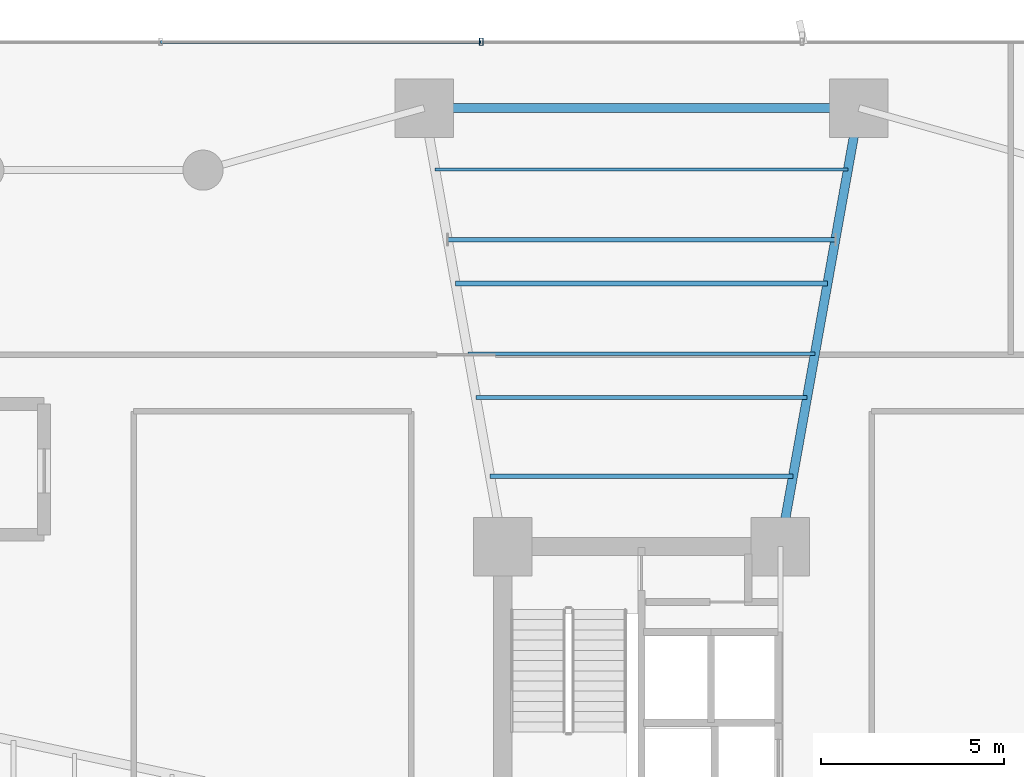
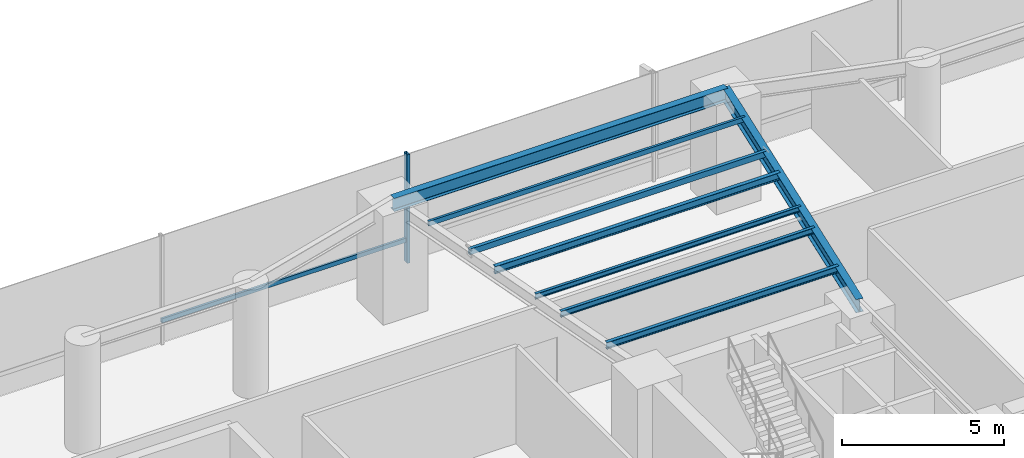
# One storey, part 10 of 23: 8 beams, 2 members, 1 element without a shape of its own.
"""IFC4 building model written with IfcOpenShell, lengths in metres."""

import ifcopenshell
import ifcopenshell.guid

model = None  # the IFC model being written
_history = None  # IfcOwnerHistory: only IFC2X3 demands one
_inside = {}  # id of a spatial element -> (the spatial element, [elements in it])
_under = {}  # id of a project, library or spatial element -> (it, [spatial elements below it])
_declared = {}  # id of a project -> (the project, [libraries it declares])
_typed = {}  # id of a type object -> (the type object, [elements of that type])
_made_of = {}  # id of a material, layer set ... -> (it, [elements and type objects made of it])


def new_model(schema):
    """Start an empty IFC model of exactly this schema.

    Asked for "IFC4X3", IfcOpenShell would pick the latest addendum, in which some entities
    have other attributes; the version numbers below select the first issue.
    IFC2X3 requires an IfcOwnerHistory on every rooted entity: one is made here for all.
    """
    global model, _history
    if schema == "IFC4X3":
        model = ifcopenshell.file(schema_version=(4, 3, 0, 0))
    else:
        model = ifcopenshell.file(schema=schema)
    _inside.clear()
    _under.clear()
    _declared.clear()
    _typed.clear()
    _made_of.clear()
    _history = None
    if model.schema == "IFC2X3":
        org = make("IfcOrganization", Name="unknown")
        user = make(
            "IfcPersonAndOrganization",
            ThePerson=make("IfcPerson", FamilyName="unknown"),
            TheOrganization=org,
        )
        app = make(
            "IfcApplication",
            ApplicationDeveloper=org,
            Version="unknown",
            ApplicationFullName="unknown",
            ApplicationIdentifier="unknown",
        )
        _history = make(
            "IfcOwnerHistory",
            OwningUser=user,
            OwningApplication=app,
            ChangeAction="ADDED",
            CreationDate=0,
        )
    return model


def make(cls, **values):
    """One entity of the class cls with the attributes given. An attribute that is None is left unset."""
    return model.create_entity(
        cls, **{name: value for name, value in values.items() if value is not None}
    )


def rooted(cls, **values):
    """An entity with a GlobalId (a new one), such as an element, a storey or a relation."""
    return make(cls, GlobalId=ifcopenshell.guid.new(), OwnerHistory=_history, **values)


def si_unit(unit_type, name, prefix=None):
    """IfcSIUnit, for example si_unit("LENGTHUNIT", "METRE", prefix="MILLI")."""
    return make("IfcSIUnit", UnitType=unit_type, Prefix=prefix, Name=name)


def assignment(units):
    """IfcUnitAssignment: the units of a project."""
    return None if units is None else make("IfcUnitAssignment", Units=units)


def point(xyz):
    """IfcCartesianPoint."""
    return None if xyz is None else make("IfcCartesianPoint", Coordinates=xyz)


def direction(xyz):
    """IfcDirection."""
    return None if xyz is None else make("IfcDirection", DirectionRatios=xyz)


def frame(location, z_axis=None, x_axis=None):
    """IfcAxis2Placement3D, a coordinate frame: its origin and axes. An axis left out is left unset."""
    return make(
        "IfcAxis2Placement3D",
        Location=point(location),
        Axis=direction(z_axis),
        RefDirection=direction(x_axis),
    )


def frame_2d(location, x_axis=None):
    """IfcAxis2Placement2D, a coordinate frame in the plane: its origin and x axis."""
    return make(
        "IfcAxis2Placement2D", Location=point(location), RefDirection=direction(x_axis)
    )


def origin():
    """The frame at (0, 0, 0) with its axes left unset."""
    return frame((0.0, 0.0, 0.0))


def origin_2d():
    """The frame at (0, 0) in the plane with its x axis left unset."""
    return frame_2d((0.0, 0.0))


def place(relative_to, where):
    """IfcLocalPlacement: puts the frame where relative to a parent placement (None: the world)."""
    return make(
        "IfcLocalPlacement", PlacementRelTo=relative_to, RelativePlacement=where
    )


def context(
    kind, dimensions, precision=None, world=None, true_north=None, identifier=None
):
    """IfcGeometricRepresentationContext, for example the 3D "Model" context."""
    return make(
        "IfcGeometricRepresentationContext",
        ContextIdentifier=identifier,
        ContextType=kind,
        CoordinateSpaceDimension=dimensions,
        Precision=precision,
        WorldCoordinateSystem=world,
        TrueNorth=true_north,
    )


def subcontext(parent, identifier, kind, view, scale=None):
    """IfcGeometricRepresentationSubContext, for example "Body" below "Model"."""
    return make(
        "IfcGeometricRepresentationSubContext",
        ContextIdentifier=identifier,
        ContextType=kind,
        ParentContext=parent,
        TargetScale=scale,
        TargetView=view,
    )


def project(units=None, contexts=None):
    """IfcProject with its units and contexts."""
    return rooted(
        "IfcProject",
        Name="project",
        RepresentationContexts=contexts,
        UnitsInContext=assignment(units),
    )


def spatial(cls, under=None, at=None, **own):
    """A site, building, storey or space (cls), placed at a placement, below another one or the project."""
    s = rooted(cls, ObjectPlacement=at, **own)
    if under is not None:
        _under.setdefault(under.id(), (under, []))[1].append(s)
    return s


def profile(cls, at=None, kind="AREA", **sizes):
    """A parametric profile (cls). Its sizes go by their IFC names, for example OverallWidth=200.0."""
    return make(cls, ProfileType=kind, Position=at, **sizes)


def hollow_rectangle(**sizes):
    """IfcRectangleHollowProfileDef."""
    return profile("IfcRectangleHollowProfileDef", **sizes)


def i_section(**sizes):
    """IfcIShapeProfileDef."""
    return profile("IfcIShapeProfileDef", **sizes)


def extrude(swept, where, along, depth):
    """IfcExtrudedAreaSolid: the profile swept, set in the frame where, extruded along a direction by depth."""
    return make(
        "IfcExtrudedAreaSolid",
        SweptArea=swept,
        Position=where,
        ExtrudedDirection=direction(along),
        Depth=depth,
    )


def shape(context_of_items, identifier, shape_type, items):
    """IfcShapeRepresentation: the items that make up one representation, for example the "Body"."""
    return make(
        "IfcShapeRepresentation",
        ContextOfItems=context_of_items,
        RepresentationIdentifier=identifier,
        RepresentationType=shape_type,
        Items=items,
    )


def source(mapping_origin, context_of_items, identifier, shape_type, items):
    """IfcRepresentationMap: a shape defined once, which mapped items show again and again."""
    return make(
        "IfcRepresentationMap",
        MappingOrigin=mapping_origin,
        MappedRepresentation=shape(context_of_items, identifier, shape_type, items),
    )


def transform(
    local_origin,
    x_axis=None,
    y_axis=None,
    z_axis=None,
    scale=None,
    scale2=None,
    scale3=None,
    uniform=True,
):
    """IfcCartesianTransformationOperator3D, or its non-uniform kind. x_axis, y_axis, z_axis: its Axis1, 2, 3."""
    if uniform:
        return make(
            "IfcCartesianTransformationOperator3D",
            Axis1=direction(x_axis),
            Axis2=direction(y_axis),
            LocalOrigin=point(local_origin),
            Scale=scale,
            Axis3=direction(z_axis),
        )
    return make(
        "IfcCartesianTransformationOperator3DnonUniform",
        Axis1=direction(x_axis),
        Axis2=direction(y_axis),
        LocalOrigin=point(local_origin),
        Scale=scale,
        Axis3=direction(z_axis),
        Scale2=scale2,
        Scale3=scale3,
    )


def mapped(mapping_source, mapping_target):
    """IfcMappedItem: shows the shape of a source again, moved by a transform."""
    return make(
        "IfcMappedItem", MappingSource=mapping_source, MappingTarget=mapping_target
    )


def material(Name=None, Category=None):
    """IfcMaterial."""
    return make("IfcMaterial", Name=Name, Category=Category)


def material_profile(
    of_material, cross_section, Name=None, Category=None, Priority=None
):
    """IfcMaterialProfile: a cross section and its material."""
    return make(
        "IfcMaterialProfile",
        Name=Name,
        Material=of_material,
        Profile=cross_section,
        Priority=Priority,
        Category=Category,
    )


def profile_set(profiles, Name=None, composite=None):
    """IfcMaterialProfileSet."""
    return make(
        "IfcMaterialProfileSet",
        Name=Name,
        MaterialProfiles=profiles,
        CompositeProfile=composite,
    )


def made_of(thing, what):
    """Note that an element or type object is made of a material, layer set ...; save() writes the relation."""
    if what is not None:
        _made_of.setdefault(what.id(), (what, []))[1].append(thing)
    return thing


def type_object(cls, material=None, **own):
    """A type object (cls), such as IfcWallType, which elements share."""
    return made_of(rooted(cls, **own), material)


def element(
    cls,
    number,
    at=None,
    inside=None,
    cuts=None,
    type_object=None,
    material=None,
    context=None,
    identifier="Body",
    shape_type=None,
    held_by="IfcProductDefinitionShape",
    body=None,
    shapes=None,
    **own,
):
    """One element of the class cls, such as IfcWall. Its Tag is "e" and its number.

    at: its placement. inside: the storey or other place that contains it. cuts: it is an
    opening in that element (IfcRelVoidsElement). A single representation is given by context,
    identifier, shape_type and body (its items); several are given by shapes. held_by: the class
    of the entity that holds the representations. save() writes the other relations.
    """
    e = rooted(cls, Tag="e%d" % number, ObjectPlacement=at, **own)
    if body is not None:
        shapes = [shape(context, identifier, shape_type, body)]
    if shapes is not None:
        e.Representation = make(held_by, Representations=shapes)
    if inside is not None:
        _inside.setdefault(inside.id(), (inside, []))[1].append(e)
    if cuts is not None:
        rooted(
            "IfcRelVoidsElement", RelatingBuildingElement=cuts, RelatedOpeningElement=e
        )
    if type_object is not None:
        _typed.setdefault(type_object.id(), (type_object, []))[1].append(e)
    return made_of(e, material)


def aggregate(whole, parts):
    """IfcRelAggregates: a whole, such as a stair, and the parts it consists of."""
    return rooted("IfcRelAggregates", RelatingObject=whole, RelatedObjects=parts)


def save(model, path):
    """Write the relations noted so far, then the file.

    IfcRelAggregates (storeys below a building ...), IfcRelContainedInSpatialStructure (elements
    in a storey), IfcRelDefinesByType, IfcRelAssociatesMaterial and IfcRelDeclares: one each for
    every whole, place, type object, material and project.
    """
    for whole, parts in _under.values():
        aggregate(whole, parts)
    for where, things in _inside.values():
        rooted(
            "IfcRelContainedInSpatialStructure",
            RelatedElements=things,
            RelatingStructure=where,
        )
    for kind, things in _typed.values():
        rooted("IfcRelDefinesByType", RelatedObjects=things, RelatingType=kind)
    for what, things in _made_of.values():
        rooted("IfcRelAssociatesMaterial", RelatedObjects=things, RelatingMaterial=what)
    for by, libraries in _declared.values():
        rooted("IfcRelDeclares", RelatingContext=by, RelatedDefinitions=libraries)
    model.write(path)


model = new_model("IFC4")

# Units and contexts
model_context = context("Model", 3, precision=1e-05, world=origin(), true_north=direction((0.0, 1.0)))
body_context = subcontext(model_context, "Body", "Model", "MODEL_VIEW")
ifc_project = project(units=[si_unit("LENGTHUNIT", "METRE"), si_unit("AREAUNIT", "SQUARE_METRE"), si_unit("VOLUMEUNIT", "CUBIC_METRE"), si_unit("PLANEANGLEUNIT", "RADIAN"), si_unit("MASSUNIT", "GRAM", prefix="KILO")], contexts=[model_context])

# Site, building, storey
site_placement = place(None, origin())
site = spatial("IfcSite", under=ifc_project, at=site_placement, CompositionType="ELEMENT")
building_placement = place(site_placement, origin())
building = spatial("IfcBuilding", under=site, at=building_placement, Name="Sahyath Konkavel Grand Hotel", CompositionType="ELEMENT")
storey_placement = place(building_placement, frame((0.0, 0.0, 4.800048828125)))
storey = spatial("IfcBuildingStorey", under=building, at=storey_placement, Name="L01", CompositionType="ELEMENT", Elevation=4.800048828125)

# Beams
ifc_material_1 = material(Name="Steel E350", Category="steel")
ifc_material_profile_1 = material_profile(ifc_material_1, i_section(OverallWidth=0.25, OverallDepth=0.5, WebThickness=0.010009765625, FlangeThickness=0.0146484375, FilletRadius=0.014892578125, at=origin_2d()), Name="ISWB 500")
ifc_profile_set_1 = profile_set([ifc_material_profile_1], Name="Steel E350")
beam_type_1 = type_object("IfcBeamType", Name="BM-ISWB500", PredefinedType="BEAM", material=ifc_profile_set_1)
shared_shape_1 = source(origin(), body_context, "Body", "SweptSolid", [
    extrude(i_section(OverallWidth=0.25, OverallDepth=0.5, WebThickness=0.010009765625, FlangeThickness=0.0146484375, FilletRadius=0.014892578125, at=origin_2d()), origin(), (0.0, 0.0, 1.0), 12.191162109375),
])
beam_1_placement = place(storey_placement, frame((3.800048828125, 10.199951171875, 3.849853515625), z_axis=(0.176350650305, 0.984327409014, 0.0), x_axis=(-0.984327409014, 0.176350650305, 0.0)))
element("IfcBeam", 1, at=beam_1_placement, inside=storey, type_object=beam_type_1, Name="L01 Podium Primary Girder NA", PredefinedType="BEAM", context=body_context, shape_type="MappedRepresentation", body=[
    mapped(shared_shape_1, transform((0.0, 0.0, 0.0), scale=1.0)),
])
shared_shape_2 = source(origin(), body_context, "Body", "SweptSolid", [
    extrude(i_section(OverallWidth=0.25, OverallDepth=0.5, WebThickness=0.010009765625, FlangeThickness=0.0146484375, FilletRadius=0.014892578125, at=origin_2d()), origin(), (0.0, 0.0, 1.0), 11.89990234375),
])
beam_2_placement = place(storey_placement, frame((5.949951171875, 22.199951171875, 3.849853515625), z_axis=(-1.0, 0.0, 0.0), x_axis=(0.0, -1.0, 0.0)))
element("IfcBeam", 2, at=beam_2_placement, inside=storey, type_object=beam_type_1, Name="L01 Podium Primary Girder Tie N", PredefinedType="BEAM", context=body_context, shape_type="MappedRepresentation", body=[
    mapped(shared_shape_2, transform((0.0, 0.0, 0.0), scale=1.0)),
])
ifc_material_profile_2 = material_profile(ifc_material_1, i_section(OverallWidth=0.125, OverallDepth=0.25, WebThickness=0.0068359375, FlangeThickness=0.012451171875, FilletRadius=0.012939453125, at=origin_2d()), Name="ISMB 250")
ifc_profile_set_2 = profile_set([ifc_material_profile_2], Name="Steel E350")
beam_type_2 = type_object("IfcBeamType", Name="BM-ISMB250", PredefinedType="BEAM", material=ifc_profile_set_2)
shared_shape_3 = source(origin(), body_context, "Body", "SweptSolid", [
    extrude(i_section(OverallWidth=0.125, OverallDepth=0.25, WebThickness=0.0068359375, FlangeThickness=0.012451171875, FilletRadius=0.012939453125, at=origin_2d()), origin(), (0.0, 0.0, 1.0), 8.2880859375),
])
beam_3_placement = place(storey_placement, frame((4.14404296875, 12.1201171875, 3.974853515625), z_axis=(-1.0, 0.0, 0.0), x_axis=(0.0, -1.0, 0.0)))
element("IfcBeam", 3, at=beam_3_placement, inside=storey, type_object=beam_type_2, Name="L01 Composite Deck Sub-Beam N-1", PredefinedType="BEAM", context=body_context, shape_type="MappedRepresentation", body=[
    mapped(shared_shape_3, transform((0.0, 0.0, 0.0), scale=1.0)),
])
ifc_material_profile_3 = material_profile(ifc_material_1, i_section(OverallWidth=0.110107421875, OverallDepth=0.22509765625, WebThickness=0.006591796875, FlangeThickness=0.01171875, FilletRadius=0.011962890625, at=origin_2d()), Name="ISMB 225")
ifc_profile_set_3 = profile_set([ifc_material_profile_3], Name="Steel E350")
beam_type_3 = type_object("IfcBeamType", Name="BM-ISMB225", PredefinedType="BEAM", material=ifc_profile_set_3)
shared_shape_4 = source(origin(), body_context, "Body", "SweptSolid", [
    extrude(i_section(OverallWidth=0.110107421875, OverallDepth=0.22509765625, WebThickness=0.006591796875, FlangeThickness=0.01171875, FilletRadius=0.011962890625, at=origin_2d()), origin(), (0.0, 0.0, 1.0), 9.06201171875),
])
beam_4_placement = place(storey_placement, frame((4.531005859375, 14.280029296875, 3.987548828125), z_axis=(-1.0, 0.0, 0.0), x_axis=(0.0, -1.0, 0.0)))
element("IfcBeam", 4, at=beam_4_placement, inside=storey, type_object=beam_type_3, Name="L01 Composite Deck Sub-Beam N-2", PredefinedType="BEAM", context=body_context, shape_type="MappedRepresentation", body=[
    mapped(shared_shape_4, transform((0.0, 0.0, 0.0), scale=1.0)),
])
ifc_material_profile_4 = material_profile(ifc_material_1, i_section(OverallWidth=0.10009765625, OverallDepth=0.199951171875, WebThickness=0.005615234375, FlangeThickness=0.0107421875, FilletRadius=0.010986328125, at=origin_2d()), Name="ISMB 200")
ifc_profile_set_4 = profile_set([ifc_material_profile_4], Name="Steel E350")
beam_type_4 = type_object("IfcBeamType", Name="BM-ISMB200", PredefinedType="BEAM", material=ifc_profile_set_4)
shared_shape_5 = source(origin(), body_context, "Body", "SweptSolid", [
    extrude(i_section(OverallWidth=0.10009765625, OverallDepth=0.199951171875, WebThickness=0.005615234375, FlangeThickness=0.0107421875, FilletRadius=0.010986328125, at=origin_2d()), origin(), (0.0, 0.0, 1.0), 9.4921875),
])
beam_5_placement = place(storey_placement, frame((4.74609375, 15.47998046875, 4.0), z_axis=(-1.0, 0.0, 0.0), x_axis=(0.0, -1.0, 0.0)))
element("IfcBeam", 5, at=beam_5_placement, inside=storey, type_object=beam_type_4, Name="L01 Composite Deck Sub-Beam N-3", PredefinedType="BEAM", context=body_context, shape_type="MappedRepresentation", body=[
    mapped(shared_shape_5, transform((0.0, 0.0, 0.0), scale=1.0)),
])
ifc_material_profile_5 = material_profile(ifc_material_1, i_section(OverallWidth=0.139892578125, OverallDepth=0.27490234375, WebThickness=0.00634765625, FlangeThickness=0.0087890625, FilletRadius=0.012939453125, at=origin_2d()), Name="ISLB 275")
ifc_profile_set_5 = profile_set([ifc_material_profile_5], Name="Steel E350")
beam_type_5 = type_object("IfcBeamType", Name="BM-ISLB275", PredefinedType="BEAM", material=ifc_profile_set_5)
shared_shape_6 = source(origin(), body_context, "Body", "SweptSolid", [
    extrude(i_section(OverallWidth=0.139892578125, OverallDepth=0.27490234375, WebThickness=0.00634765625, FlangeThickness=0.0087890625, FilletRadius=0.012939453125, at=origin_2d()), origin(), (0.0, 0.0, 1.0), 10.18017578125),
])
beam_6_placement = place(storey_placement, frame((5.090087890625, 17.39990234375, 3.96240234375), z_axis=(-1.0, 0.0, 0.0), x_axis=(0.0, -1.0, 0.0)))
element("IfcBeam", 6, at=beam_6_placement, inside=storey, type_object=beam_type_5, Name="L01 Composite Deck Sub-Beam N-4", PredefinedType="BEAM", context=body_context, shape_type="MappedRepresentation", body=[
    mapped(shared_shape_6, transform((0.0, 0.0, 0.0), scale=1.0)),
])
ifc_material_profile_6 = material_profile(ifc_material_1, hollow_rectangle(XDim=0.1201171875, YDim=0.219970703125, WallThickness=0.010009765625, at=origin_2d()), Name="RHS 220x120x10")
ifc_profile_set_6 = profile_set([ifc_material_profile_6], Name="Steel E350")
beam_type_6 = type_object("IfcBeamType", Name="BM-RHS220", PredefinedType="BEAM", material=ifc_profile_set_6)
shared_shape_7 = source(origin(), body_context, "Body", "SweptSolid", [
    extrude(hollow_rectangle(XDim=0.1201171875, YDim=0.219970703125, WallThickness=0.010009765625, at=origin_2d()), origin(), (0.0, 0.0, 1.0), 10.60986328125),
])
beam_7_placement = place(storey_placement, frame((5.304931640625, 18.60009765625, 3.989990234375), z_axis=(-1.0, 0.0, 0.0), x_axis=(0.0, -1.0, 0.0)))
element("IfcBeam", 7, at=beam_7_placement, inside=storey, type_object=beam_type_6, Name="L01 Composite Deck Sub-Beam N-5", PredefinedType="BEAM", context=body_context, shape_type="MappedRepresentation", body=[
    mapped(shared_shape_7, transform((0.0, 0.0, 0.0), scale=1.0)),
])
ifc_material_profile_7 = material_profile(ifc_material_1, hollow_rectangle(XDim=0.090087890625, YDim=0.179931640625, WallThickness=0.008056640625, at=origin_2d()), Name="RHS 180x90x8")
ifc_profile_set_7 = profile_set([ifc_material_profile_7], Name="Steel E350")
beam_type_7 = type_object("IfcBeamType", Name="BM-RHS180", PredefinedType="BEAM", material=ifc_profile_set_7)
shared_shape_8 = source(origin(), body_context, "Body", "SweptSolid", [
    extrude(hollow_rectangle(XDim=0.090087890625, YDim=0.179931640625, WallThickness=0.008056640625, at=origin_2d()), origin(), (0.0, 0.0, 1.0), 11.2978515625),
])
beam_8_placement = place(storey_placement, frame((5.64892578125, 20.52001953125, 4.010009765625), z_axis=(-1.0, 0.0, 0.0), x_axis=(0.0, -1.0, 0.0)))
element("IfcBeam", 8, at=beam_8_placement, inside=storey, type_object=beam_type_7, Name="L01 Composite Deck Sub-Beam N-6", PredefinedType="BEAM", context=body_context, shape_type="MappedRepresentation", body=[
    mapped(shared_shape_8, transform((0.0, 0.0, 0.0), scale=1.0)),
])

# Curtain wall, members
ifc_material_2 = material(Name="Anodised Bronze Aluminium & Low-E Glazing", Category="aluminium")
curtain_wall_type = type_object("IfcCurtainWallType", Name="CW-PODIUM", PredefinedType="NOTDEFINED", material=ifc_material_2)
curtain_wall_placement = place(storey_placement, origin())
curtain_wall = element("IfcCurtainWall", 9, at=curtain_wall_placement, inside=storey, type_object=curtain_wall_type, Name="L01 Unitised Curtain Wall N", PredefinedType="NOTDEFINED")
ifc_material_3 = material(Name="Anodised Bronze Aluminium", Category="aluminium")
ifc_material_profile_8 = material_profile(ifc_material_3, hollow_rectangle(XDim=0.10009765625, YDim=0.199951171875, WallThickness=0.008056640625, at=origin_2d()), Name="RHS 200x100x8")
ifc_profile_set_8 = profile_set([ifc_material_profile_8], Name="Anodised Bronze Aluminium")
member_type_1 = type_object("IfcMemberType", Name="CW-MUL-200", PredefinedType="MULLION", material=ifc_profile_set_8)
shared_shape_9 = source(origin(), body_context, "Body", "SweptSolid", [
    extrude(hollow_rectangle(XDim=0.10009765625, YDim=0.199951171875, WallThickness=0.008056640625, at=origin_2d()), origin(), (0.0, 0.0, 1.0), 4.099853515625),
])
member_1_placement = place(storey_placement, frame((-4.387451171875, 24.012939453125, 0.0), z_axis=(0.0, 0.0, 1.0), x_axis=(1.0, 0.0, 0.0)))
member_1 = element("IfcMember", 10, at=member_1_placement, type_object=member_type_1, Name="L01 Curtain Wall Mullion N-4", PredefinedType="MULLION", context=body_context, shape_type="MappedRepresentation", body=[
    mapped(shared_shape_9, transform((0.0, 0.0, 0.0), scale=1.0)),
])
ifc_material_profile_9 = material_profile(ifc_material_3, hollow_rectangle(XDim=0.080078125, YDim=0.159912109375, WallThickness=0.006103515625, at=origin_2d()), Name="RHS 160x80x6")
ifc_profile_set_9 = profile_set([ifc_material_profile_9], Name="Anodised Bronze Aluminium")
member_type_2 = type_object("IfcMemberType", Name="CW-TRN-160", PredefinedType="USERDEFINED", material=ifc_profile_set_9)
shared_shape_10 = source(origin(), body_context, "Body", "SweptSolid", [
    extrude(hollow_rectangle(XDim=0.080078125, YDim=0.159912109375, WallThickness=0.006103515625, at=origin_2d()), origin(), (0.0, 0.0, 1.0), 8.77490234375),
])
member_2_placement = place(storey_placement, frame((-4.387451171875, 24.012939453125, 0.849853515625), z_axis=(-1.0, 0.0, 0.0), x_axis=(0.0, -1.0, 0.0)))
member_2 = element("IfcMember", 11, at=member_2_placement, type_object=member_type_2, Name="L01 Curtain Wall Transom N-4-spandrel", ObjectType="TRANSOM", PredefinedType="USERDEFINED", context=body_context, shape_type="MappedRepresentation", body=[
    mapped(shared_shape_10, transform((0.0, 0.0, 0.0), scale=1.0)),
])
aggregate(curtain_wall, [member_1, member_2])

save(model, "model.ifc")
